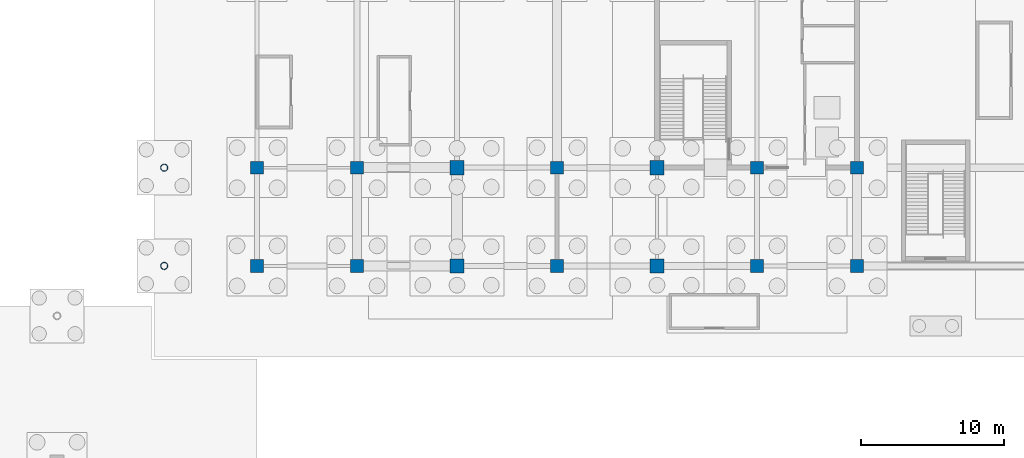
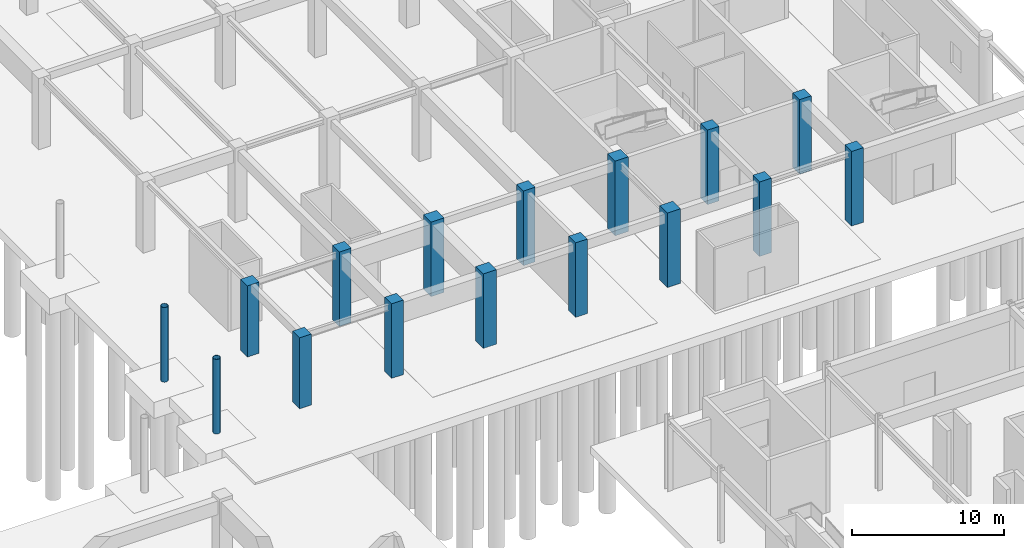
# One storey, part 17 of 62: 16 columns.
"""IFC4 building model written with IfcOpenShell, lengths in metres."""

from ifc_helpers import new_model, si_unit, direction, frame, origin, origin_2d, place, context, subcontext, project, spatial, rectangle, hollow_circle, extrude, material, material_profile, profile_set, type_object, element, save


model = new_model("IFC4")

# Units and contexts
model_context = context("Model", 3, precision=1e-05, world=origin(), true_north=direction((0.0, 1.0)))
body_context = subcontext(model_context, "Body", "Model", "MODEL_VIEW")
ifc_project = project(units=[si_unit("LENGTHUNIT", "METRE"), si_unit("AREAUNIT", "SQUARE_METRE"), si_unit("VOLUMEUNIT", "CUBIC_METRE"), si_unit("PLANEANGLEUNIT", "RADIAN"), si_unit("MASSUNIT", "GRAM", prefix="KILO")], contexts=[model_context])

# Site, building, storey
site_placement = place(None, origin())
site = spatial("IfcSite", under=ifc_project, at=site_placement, CompositionType="ELEMENT")
building_placement = place(site_placement, origin())
building = spatial("IfcBuilding", under=site, at=building_placement, Name="Linyun Crest Stadium", CompositionType="ELEMENT")
storey_placement = place(building_placement, frame((0.0, 0.0, -6.0)))
storey = spatial("IfcBuildingStorey", under=building, at=storey_placement, Name="B1", CompositionType="ELEMENT", Elevation=-6.0)

# Columns
ifc_material_1 = material(Name="Concrete C50", Category="concrete")
ifc_material_profile_1 = material_profile(ifc_material_1, rectangle(XDim=0.89990234375, YDim=0.89990234375, at=origin_2d()), Name="RC 900x900")
ifc_profile_set_1 = profile_set([ifc_material_profile_1], Name="Concrete C50")
column_type_1 = type_object("IfcColumnType", Name="C04", PredefinedType="COLUMN", material=ifc_profile_set_1)
for number, where, z_axis, x_axis, name in (
    (1, (42.0, -46.0, 0.0), (0.0, 0.0, 1.0), (1.0, 0.0, 0.0), "Column C04 B1 297"),
    (2, (42.0, -39.125, 0.0), (0.0, 0.0, 1.0), (1.0, 0.0, 0.0), "Column C04 B1 298"),
):
    element("IfcColumn", number, at=place(storey_placement, frame(where, z_axis=z_axis, x_axis=x_axis)), inside=storey, type_object=column_type_1, Name=name, PredefinedType="COLUMN", context=body_context, shape_type="SweptSolid", body=[
        extrude(rectangle(XDim=0.89990234375, YDim=0.89990234375, at=origin_2d()), origin(), (0.0, 0.0, 1.0), 5.719970703125),
    ])
for number, where, z_axis, x_axis, name in (
    (3, (49.0, -46.0, 0.0), (0.0, 0.0, 1.0), (1.0, 0.0, 0.0), "Column C04 B1 305"),
    (4, (49.0, -39.125, 0.0), (0.0, 0.0, 1.0), (1.0, 0.0, 0.0), "Column C04 B1 307"),
    (5, (63.0, -46.0, 0.0), (0.0, 0.0, 1.0), (1.0, 0.0, 0.0), "Column C04 B1 353"),
    (6, (63.0, -39.125, 0.0), (0.0, 0.0, 1.0), (1.0, 0.0, 0.0), "Column C04 B1 358"),
    (7, (77.0, -46.0, 0.0), (0.0, 0.0, 1.0), (1.0, 0.0, 0.0), "Column C04 B1 441"),
    (8, (77.0, -39.125, 0.0), (0.0, 0.0, 1.0), (1.0, 0.0, 0.0), "Column C04 B1 446"),
    (9, (84.0, -46.0, 0.0), (0.0, 0.0, 1.0), (1.0, 0.0, 0.0), "Column C04 B1 481"),
    (10, (84.0, -39.125, 0.0), (0.0, 0.0, 1.0), (1.0, 0.0, 0.0), "Column C04 B1 487"),
):
    element("IfcColumn", number, at=place(storey_placement, frame(where, z_axis=z_axis, x_axis=x_axis)), inside=storey, type_object=column_type_1, Name=name, PredefinedType="COLUMN", context=body_context, shape_type="SweptSolid", body=[
        extrude(rectangle(XDim=0.89990234375, YDim=0.89990234375, at=origin_2d()), origin(), (0.0, 0.0, 1.0), 5.998046875),
    ])
ifc_material_2 = material(Name="Concrete C50", Category="concrete")
ifc_material_profile_2 = material_profile(ifc_material_2, rectangle(XDim=1.0, YDim=1.0, at=origin_2d()), Name="RC 1000x1000")
ifc_profile_set_2 = profile_set([ifc_material_profile_2], Name="Concrete C50")
column_type_2 = type_object("IfcColumnType", Name="C05", PredefinedType="COLUMN", material=ifc_profile_set_2)
for number, where, z_axis, x_axis, name in (
    (11, (56.0, -46.0, 0.0), (0.0, 0.0, 1.0), (1.0, 0.0, 0.0), "Column C05 B1 321"),
    (12, (56.0, -39.125, 0.0), (0.0, 0.0, 1.0), (1.0, 0.0, 0.0), "Column C05 B1 325"),
    (13, (70.0, -46.0, 0.0), (0.0, 0.0, 1.0), (1.0, 0.0, 0.0), "Column C05 B1 393"),
    (14, (70.0, -39.125, 0.0), (0.0, 0.0, 1.0), (1.0, 0.0, 0.0), "Column C05 B1 399"),
):
    element("IfcColumn", number, at=place(storey_placement, frame(where, z_axis=z_axis, x_axis=x_axis)), inside=storey, type_object=column_type_2, Name=name, PredefinedType="COLUMN", context=body_context, shape_type="SweptSolid", body=[
        extrude(rectangle(XDim=1.0, YDim=1.0, at=origin_2d()), origin(), (0.0, 0.0, 1.0), 5.998046875),
    ])
ifc_material_3 = material(Name="Steel Q355C", Category="steel")
ifc_material_profile_3 = material_profile(ifc_material_3, hollow_circle(Radius=0.25390625, WallThickness=0.02490234375, at=origin_2d()), Name="CHS 508x25")
ifc_profile_set_3 = profile_set([ifc_material_profile_3], Name="Steel Q355C")
column_type_3 = type_object("IfcColumnType", Name="SC05", PredefinedType="COLUMN", material=ifc_profile_set_3)
for number, where, z_axis, x_axis, name in (
    (15, (35.5, -46.0, 0.0), (0.0, 0.0, 1.0), (1.0, 0.0, 0.0), "Arch colonnade column SC05 B1 18"),
    (16, (35.5, -39.125, 0.0), (0.0, 0.0, 1.0), (1.0, 0.0, 0.0), "Arch colonnade column SC05 B1 20"),
):
    element("IfcColumn", number, at=place(storey_placement, frame(where, z_axis=z_axis, x_axis=x_axis)), inside=storey, type_object=column_type_3, Name=name, PredefinedType="COLUMN", context=body_context, shape_type="SweptSolid", body=[
        extrude(hollow_circle(Radius=0.25390625, WallThickness=0.02490234375, at=origin_2d()), origin(), (0.0, 0.0, 1.0), 6.0),
    ])

save(model, "model.ifc")
